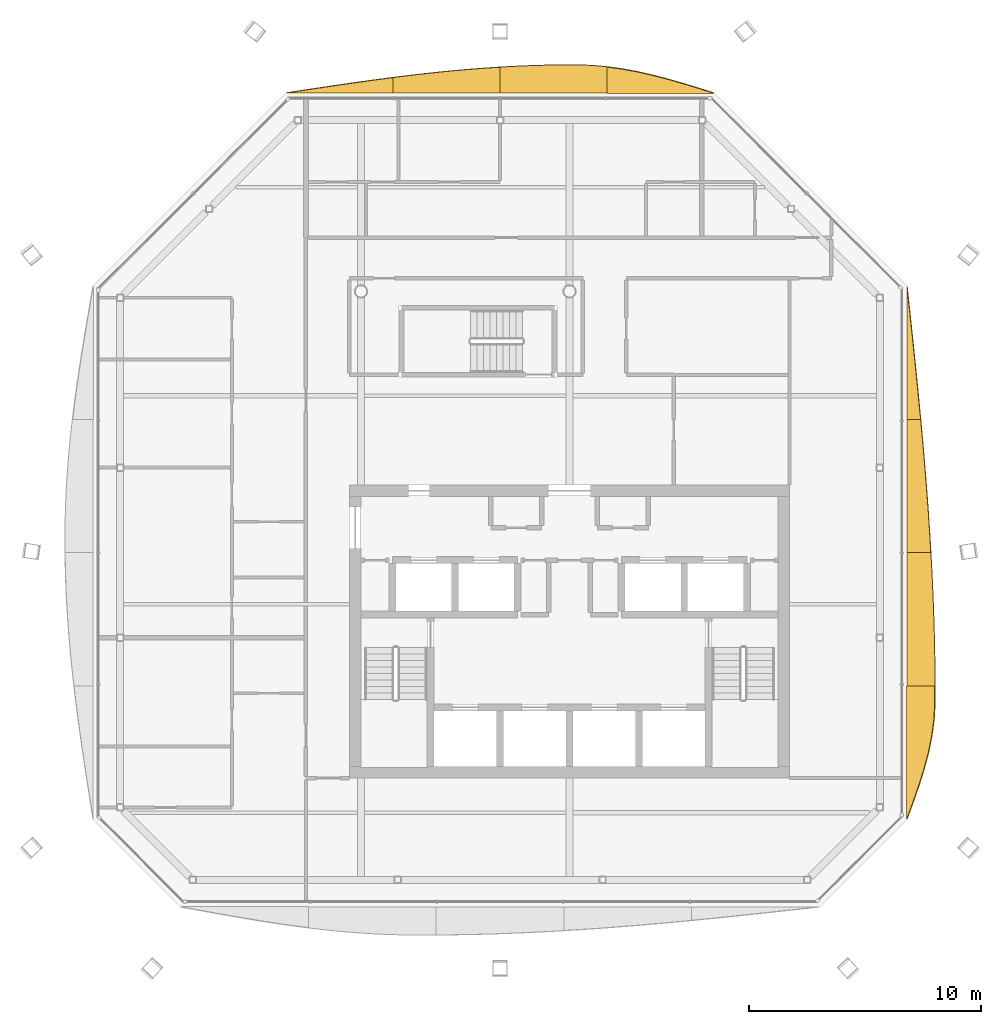
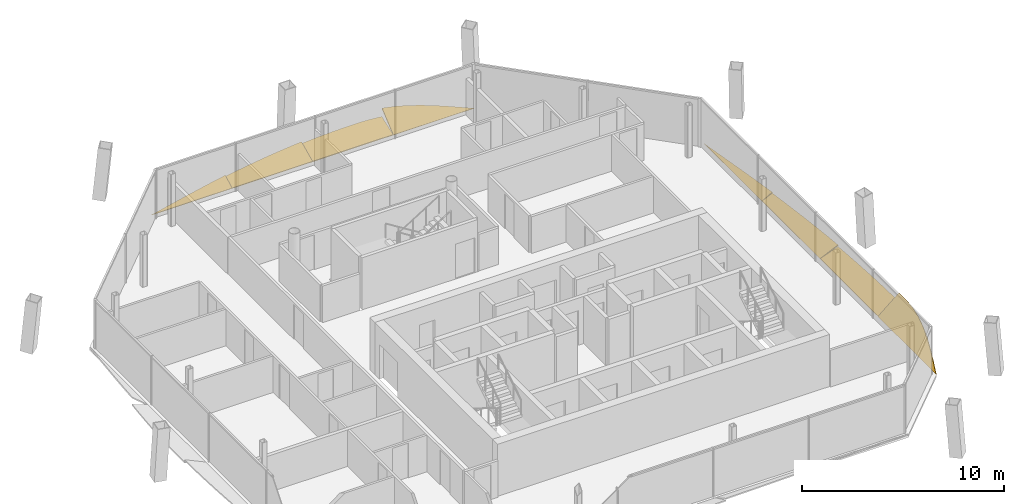
# One storey, part 16 of 16: 8 shading devices.
"""IFC4 building model written with IfcOpenShell, lengths in metres."""

import ifcopenshell
import ifcopenshell.guid

model = None  # the IFC model being written
_history = None  # IfcOwnerHistory: only IFC2X3 demands one
_inside = {}  # id of a spatial element -> (the spatial element, [elements in it])
_under = {}  # id of a project, library or spatial element -> (it, [spatial elements below it])
_declared = {}  # id of a project -> (the project, [libraries it declares])
_typed = {}  # id of a type object -> (the type object, [elements of that type])
_made_of = {}  # id of a material, layer set ... -> (it, [elements and type objects made of it])


def new_model(schema):
    """Start an empty IFC model of exactly this schema.

    Asked for "IFC4X3", IfcOpenShell would pick the latest addendum, in which some entities
    have other attributes; the version numbers below select the first issue.
    IFC2X3 requires an IfcOwnerHistory on every rooted entity: one is made here for all.
    """
    global model, _history
    if schema == "IFC4X3":
        model = ifcopenshell.file(schema_version=(4, 3, 0, 0))
    else:
        model = ifcopenshell.file(schema=schema)
    _inside.clear()
    _under.clear()
    _declared.clear()
    _typed.clear()
    _made_of.clear()
    _history = None
    if model.schema == "IFC2X3":
        org = make("IfcOrganization", Name="unknown")
        user = make(
            "IfcPersonAndOrganization",
            ThePerson=make("IfcPerson", FamilyName="unknown"),
            TheOrganization=org,
        )
        app = make(
            "IfcApplication",
            ApplicationDeveloper=org,
            Version="unknown",
            ApplicationFullName="unknown",
            ApplicationIdentifier="unknown",
        )
        _history = make(
            "IfcOwnerHistory",
            OwningUser=user,
            OwningApplication=app,
            ChangeAction="ADDED",
            CreationDate=0,
        )
    return model


def make(cls, **values):
    """One entity of the class cls with the attributes given. An attribute that is None is left unset."""
    return model.create_entity(
        cls, **{name: value for name, value in values.items() if value is not None}
    )


def rooted(cls, **values):
    """An entity with a GlobalId (a new one), such as an element, a storey or a relation."""
    return make(cls, GlobalId=ifcopenshell.guid.new(), OwnerHistory=_history, **values)


def si_unit(unit_type, name, prefix=None):
    """IfcSIUnit, for example si_unit("LENGTHUNIT", "METRE", prefix="MILLI")."""
    return make("IfcSIUnit", UnitType=unit_type, Prefix=prefix, Name=name)


def assignment(units):
    """IfcUnitAssignment: the units of a project."""
    return None if units is None else make("IfcUnitAssignment", Units=units)


def point(xyz):
    """IfcCartesianPoint."""
    return None if xyz is None else make("IfcCartesianPoint", Coordinates=xyz)


def direction(xyz):
    """IfcDirection."""
    return None if xyz is None else make("IfcDirection", DirectionRatios=xyz)


def frame(location, z_axis=None, x_axis=None):
    """IfcAxis2Placement3D, a coordinate frame: its origin and axes. An axis left out is left unset."""
    return make(
        "IfcAxis2Placement3D",
        Location=point(location),
        Axis=direction(z_axis),
        RefDirection=direction(x_axis),
    )


def origin():
    """The frame at (0, 0, 0) with its axes left unset."""
    return frame((0.0, 0.0, 0.0))


def place(relative_to, where):
    """IfcLocalPlacement: puts the frame where relative to a parent placement (None: the world)."""
    return make(
        "IfcLocalPlacement", PlacementRelTo=relative_to, RelativePlacement=where
    )


def context(
    kind, dimensions, precision=None, world=None, true_north=None, identifier=None
):
    """IfcGeometricRepresentationContext, for example the 3D "Model" context."""
    return make(
        "IfcGeometricRepresentationContext",
        ContextIdentifier=identifier,
        ContextType=kind,
        CoordinateSpaceDimension=dimensions,
        Precision=precision,
        WorldCoordinateSystem=world,
        TrueNorth=true_north,
    )


def subcontext(parent, identifier, kind, view, scale=None):
    """IfcGeometricRepresentationSubContext, for example "Body" below "Model"."""
    return make(
        "IfcGeometricRepresentationSubContext",
        ContextIdentifier=identifier,
        ContextType=kind,
        ParentContext=parent,
        TargetScale=scale,
        TargetView=view,
    )


def project(units=None, contexts=None):
    """IfcProject with its units and contexts."""
    return rooted(
        "IfcProject",
        Name="project",
        RepresentationContexts=contexts,
        UnitsInContext=assignment(units),
    )


def spatial(cls, under=None, at=None, **own):
    """A site, building, storey or space (cls), placed at a placement, below another one or the project."""
    s = rooted(cls, ObjectPlacement=at, **own)
    if under is not None:
        _under.setdefault(under.id(), (under, []))[1].append(s)
    return s


def polyline(points):
    """IfcPolyline through the points."""
    return make("IfcPolyline", Points=[point(p) for p in points])


def outline(outer, holes=None, kind="AREA"):
    """IfcArbitraryClosedProfileDef: a profile drawn as a closed curve; with holes, ...WithVoids."""
    if holes is None:
        return make("IfcArbitraryClosedProfileDef", ProfileType=kind, OuterCurve=outer)
    return make(
        "IfcArbitraryProfileDefWithVoids",
        ProfileType=kind,
        OuterCurve=outer,
        InnerCurves=holes,
    )


def extrude(swept, where, along, depth):
    """IfcExtrudedAreaSolid: the profile swept, set in the frame where, extruded along a direction by depth."""
    return make(
        "IfcExtrudedAreaSolid",
        SweptArea=swept,
        Position=where,
        ExtrudedDirection=direction(along),
        Depth=depth,
    )


def shape(context_of_items, identifier, shape_type, items):
    """IfcShapeRepresentation: the items that make up one representation, for example the "Body"."""
    return make(
        "IfcShapeRepresentation",
        ContextOfItems=context_of_items,
        RepresentationIdentifier=identifier,
        RepresentationType=shape_type,
        Items=items,
    )


def material(Name=None, Category=None):
    """IfcMaterial."""
    return make("IfcMaterial", Name=Name, Category=Category)


def layer(
    of_material, thickness, ventilated=None, Name=None, Category=None, Priority=None
):
    """IfcMaterialLayer: one layer of a wall or slab, of a material (None: an air gap)."""
    return make(
        "IfcMaterialLayer",
        Material=of_material,
        LayerThickness=thickness,
        IsVentilated=ventilated,
        Name=Name,
        Category=Category,
        Priority=Priority,
    )


def layer_set(layers, Name=None):
    """IfcMaterialLayerSet."""
    return make("IfcMaterialLayerSet", MaterialLayers=layers, LayerSetName=Name)


def made_of(thing, what):
    """Note that an element or type object is made of a material, layer set ...; save() writes the relation."""
    if what is not None:
        _made_of.setdefault(what.id(), (what, []))[1].append(thing)
    return thing


def type_object(cls, material=None, **own):
    """A type object (cls), such as IfcWallType, which elements share."""
    return made_of(rooted(cls, **own), material)


def element(
    cls,
    number,
    at=None,
    inside=None,
    cuts=None,
    type_object=None,
    material=None,
    context=None,
    identifier="Body",
    shape_type=None,
    held_by="IfcProductDefinitionShape",
    body=None,
    shapes=None,
    **own,
):
    """One element of the class cls, such as IfcWall. Its Tag is "e" and its number.

    at: its placement. inside: the storey or other place that contains it. cuts: it is an
    opening in that element (IfcRelVoidsElement). A single representation is given by context,
    identifier, shape_type and body (its items); several are given by shapes. held_by: the class
    of the entity that holds the representations. save() writes the other relations.
    """
    e = rooted(cls, Tag="e%d" % number, ObjectPlacement=at, **own)
    if body is not None:
        shapes = [shape(context, identifier, shape_type, body)]
    if shapes is not None:
        e.Representation = make(held_by, Representations=shapes)
    if inside is not None:
        _inside.setdefault(inside.id(), (inside, []))[1].append(e)
    if cuts is not None:
        rooted(
            "IfcRelVoidsElement", RelatingBuildingElement=cuts, RelatedOpeningElement=e
        )
    if type_object is not None:
        _typed.setdefault(type_object.id(), (type_object, []))[1].append(e)
    return made_of(e, material)


def aggregate(whole, parts):
    """IfcRelAggregates: a whole, such as a stair, and the parts it consists of."""
    return rooted("IfcRelAggregates", RelatingObject=whole, RelatedObjects=parts)


def save(model, path):
    """Write the relations noted so far, then the file.

    IfcRelAggregates (storeys below a building ...), IfcRelContainedInSpatialStructure (elements
    in a storey), IfcRelDefinesByType, IfcRelAssociatesMaterial and IfcRelDeclares: one each for
    every whole, place, type object, material and project.
    """
    for whole, parts in _under.values():
        aggregate(whole, parts)
    for where, things in _inside.values():
        rooted(
            "IfcRelContainedInSpatialStructure",
            RelatedElements=things,
            RelatingStructure=where,
        )
    for kind, things in _typed.values():
        rooted("IfcRelDefinesByType", RelatedObjects=things, RelatingType=kind)
    for what, things in _made_of.values():
        rooted("IfcRelAssociatesMaterial", RelatedObjects=things, RelatingMaterial=what)
    for by, libraries in _declared.values():
        rooted("IfcRelDeclares", RelatingContext=by, RelatedDefinitions=libraries)
    model.write(path)


model = new_model("IFC4")

# Units and contexts
model_context = context("Model", 3, precision=1e-05, world=origin(), true_north=direction((0.0, 1.0)))
body_context = subcontext(model_context, "Body", "Model", "MODEL_VIEW")
ifc_project = project(units=[si_unit("LENGTHUNIT", "METRE"), si_unit("AREAUNIT", "SQUARE_METRE"), si_unit("VOLUMEUNIT", "CUBIC_METRE"), si_unit("PLANEANGLEUNIT", "RADIAN"), si_unit("MASSUNIT", "GRAM", prefix="KILO")], contexts=[model_context])

# Site, building, storey
site_placement = place(None, origin())
site = spatial("IfcSite", under=ifc_project, at=site_placement, CompositionType="ELEMENT")
building_placement = place(site_placement, origin())
building = spatial("IfcBuilding", under=site, at=building_placement, Name="Tskaro Facet Tower", CompositionType="ELEMENT")
storey_placement = place(building_placement, frame((0.0, 0.0, 248.699951171875)))
storey = spatial("IfcBuildingStorey", under=building, at=storey_placement, Name="L65", CompositionType="ELEMENT", Elevation=248.699951171875)

# Shading devices
ifc_material = material(Name="Bronze anodised aluminium 6063-T6", Category="aluminium")
ifc_layer = layer(ifc_material, 0.06005859375, Name="Bronze anodised aluminium 6063-T6")
ifc_layer_set = layer_set([ifc_layer], Name="Bronze anodised aluminium 6063-T6")
shading_device_type = type_object("IfcShadingDeviceType", Name="Bronze sun blade (FN1)", PredefinedType="USERDEFINED", material=ifc_layer_set)
shading_device_1_placement = place(storey_placement, frame((14.552490234375, -13.764892578125, 0.0458984375), z_axis=(-0.642872836206, 1.6151534e-05, 0.765972921328), x_axis=(1.0383383e-05, 0.99999999987, -1.2371638e-05)))
element("IfcShadingDevice", 1, at=shading_device_1_placement, inside=storey, type_object=shading_device_type, Name="Fin blade east 1", ObjectType="FIN", PredefinedType="USERDEFINED", context=body_context, shape_type="SweptSolid", body=[
    extrude(outline(polyline([(0.0, 0.0), (5.746582030500439, 9.735088629136583e-21), (5.746582031847655, -1.5757445120375113), (5.148925781548134, -1.5779952560481885), (5.028320311735102, -1.5767763814889648), (4.310058594263696, -1.5263550414469376), (3.591552732551162, -1.403131818900436), (2.8732910167470913, -1.2127001787857132), (2.155029296140758, -0.9641899947898033), (1.4365234383598278, -0.6696030073971728), (0.7182617158631183, -0.3431015399077981), (0.0, 0.0)])), origin(), (0.0, 0.0, -1.0), 0.06005859375),
])
shading_device_2_placement = place(storey_placement, frame((14.570556640625, -8.018310546875, 0.056396484375), z_axis=(-0.342056126042, 9.246606e-06, 0.939679523322), x_axis=(3.162858e-06, 0.999999999957, -8.688846e-06)))
element("IfcShadingDevice", 2, at=shading_device_2_placement, inside=storey, type_object=shading_device_type, Name="Fin blade east 2", ObjectType="FIN", PredefinedType="USERDEFINED", context=body_context, shape_type="SweptSolid", body=[
    extrude(outline(polyline([(0.0, 0.0), (5.7468261716293245, 0.0), (5.746826171903169, -1.0906827147683351), (5.028564453502355, -1.1314607627061206), (4.310058594077258, -1.1678377147812342), (3.5917968741056736, -1.1995841570475418), (2.8735351550839123, -1.2266165797086432), (2.1550292977361027, -1.2486220590220045), (1.4367675782974416, -1.265538200634293), (0.7185058590364213, -1.2775109086952419), (-6.719474637334265e-10, -1.284540183204851), (0.0, 0.0)])), origin(), (0.0, 0.0, -1.0), 0.06005859375),
])
shading_device_3_placement = place(storey_placement, frame((14.565673828125, -2.271484375, 0.054443359375), z_axis=(-0.422613993327, 1.2876108e-05, 0.906309777327), x_axis=(5.441624e-06, 0.999999999917, -1.1669743e-05)))
element("IfcShadingDevice", 3, at=shading_device_3_placement, inside=storey, type_object=shading_device_type, Name="Fin blade east 3", ObjectType="FIN", PredefinedType="USERDEFINED", context=body_context, shape_type="SweptSolid", body=[
    extrude(outline(polyline([(0.0, 0.0), (5.746826171398604, 0.0), (5.74682617175365, -0.646496221761985), (5.028320313678173, -0.7189142098702398), (4.310058593010175, -0.7884855516101179), (3.5917968734942676, -0.8547826254571746), (2.873291014505475, -0.9178054314114097), (2.155029295965235, -0.9773327024373246), (1.4367675789611185, -1.0324942829394774), (0.718261719827073, -1.0839390614778117), (-1.323447728035325e-09, -1.1309000597013585), (0.0, 0.0)])), origin(), (0.0, 0.0, -1.0), 0.06005859375),
])
shading_device_4_placement = place(storey_placement, frame((14.56103515625, 3.475341796875, 0.052001953125), z_axis=(-0.500099552106, -3.90188e-07, 0.86596791972), x_axis=(-1.95133e-07, 1.0, 3.3789e-07)))
element("IfcShadingDevice", 4, at=shading_device_4_placement, inside=storey, type_object=shading_device_type, Name="Fin blade east 4", ObjectType="FIN", PredefinedType="USERDEFINED", context=body_context, shape_type="SweptSolid", body=[
    extrude(outline(polyline([(0.0, 0.0), (5.746582031249563, 0.0), (5.028320312519529, -0.08827294379965826), (4.310058593754645, -0.1762123750329529), (3.5915527343426934, -0.26327336318437), (2.8732910156638085, -0.3493665849219725), (2.155029296845512, -0.43412575639412043), (1.4365234374882165, -0.5170387183705762), (0.7182617187594287, -0.5979833762341267), (-7.038163607153583e-13, -0.676626217418408), (0.0, 0.0)])), origin(), (0.0, 0.0, -1.0), 0.06005859375),
])
shading_device_5_placement = place(storey_placement, frame((6.221923828125, 17.552490234375, 0.0458984375), z_axis=(-7.944883e-06, -0.642871684383, 0.765973888168), x_axis=(-0.999999999968, 5.10754e-06, -6.085573e-06)))
element("IfcShadingDevice", 5, at=shading_device_5_placement, inside=storey, type_object=shading_device_type, Name="Fin blade north 1", ObjectType="FIN", PredefinedType="USERDEFINED", context=body_context, shape_type="SweptSolid", body=[
    extrude(outline(polyline([(0.0, 0.0), (4.610839843604479, 0.0), (4.610839843876446, -1.4731519958557895), (3.9521484373283275, -1.354617266377915), (3.293457030912683, -1.196227003968794), (2.6347656257438357, -1.0023257454846586), (1.976074219009526, -0.7789477557258797), (1.317382811877146, -0.5323443590855969), (0.6586914058059368, -0.27032971105523407), (0.0, 0.0)])), origin(), (0.0, 0.0, -1.0), 0.06005859375),
])
shading_device_6_placement = place(storey_placement, frame((1.611083984375, 17.570556640625, 0.056396484375), z_axis=(-1.1136513e-05, -0.342042688028, 0.939684414813), x_axis=(-0.999999999938, 3.809163e-06, -1.0464808e-05)))
element("IfcShadingDevice", 6, at=shading_device_6_placement, inside=storey, type_object=shading_device_type, Name="Fin blade north 2", ObjectType="FIN", PredefinedType="USERDEFINED", context=body_context, shape_type="SweptSolid", body=[
    extrude(outline(polyline([(0.0, 0.0), (4.6110839840890625, 3.9057400573222584e-21), (4.611083983639896, -1.1818962633445227), (3.9523925787276486, -1.2200461343046527), (3.2937011712300768, -1.2497067339612442), (2.6350097662569496, -1.2707110492830227), (1.9763183593934406, -1.2826837565049267), (1.4018554681192679, -1.2860836859076543), (1.3176269515695198, -1.285854270767305), (0.6586914069740634, -1.2621382714638467), (-1.5431413384951292e-09, -1.2008982445122316), (0.0, 0.0)])), origin(), (0.0, 0.0, -1.0), 0.06005859375),
])
shading_device_7_placement = place(storey_placement, frame((-3.0, 17.565673828125, 0.054443359375), z_axis=(-6.414e-09, -0.422589856911, 0.906321031884), x_axis=(-1.0, 2.71e-09, -5.813e-09)))
element("IfcShadingDevice", 7, at=shading_device_7_placement, inside=storey, type_object=shading_device_type, Name="Fin blade north 3", ObjectType="FIN", PredefinedType="USERDEFINED", context=body_context, shape_type="SweptSolid", body=[
    extrude(outline(polyline([(0.0, 0.0), (4.611083984375, 0.0), (4.611083984375168, -0.7337665061352492), (3.95239257812479, -0.82376534459411), (3.2934570312497082, -0.9080858040884489), (2.6347656250000178, -0.9861821737001313), (1.976074218750153, -1.0572874727278474), (1.3173828125001132, -1.1214017011715973), (0.6586914062500908, -1.1774334371951118), (8.510846845573893e-14, -1.2253826807983907), (0.0, 0.0)])), origin(), (0.0, 0.0, -1.0), 0.06005859375),
])
shading_device_8_placement = place(storey_placement, frame((-7.611083984375, 17.56103515625, 0.052001953125), z_axis=(1.2437754e-05, -0.500132672112, 0.865948791865), x_axis=(-0.999999999923, -6.220527e-06, 1.0770458e-05)))
element("IfcShadingDevice", 8, at=shading_device_8_placement, inside=storey, type_object=shading_device_type, Name="Fin blade north 4", ObjectType="FIN", PredefinedType="USERDEFINED", context=body_context, shape_type="SweptSolid", body=[
    extrude(outline(polyline([(0.0, 0.0), (4.610839843393357, 0.0), (3.952148438837949, -0.11595130113663567), (3.293457032060894, -0.23123557030838762), (2.6347656238779145, -0.3447629489918117), (1.9760742173263768, -0.4561106106283476), (1.3173828132220016, -0.5641886966945513), (0.6586914051949528, -0.6684194858016574), (-6.800355175154765e-10, -0.7679573248325453), (0.0, 0.0)])), origin(), (0.0, 0.0, -1.0), 0.06005859375),
])

save(model, "model.ifc")
